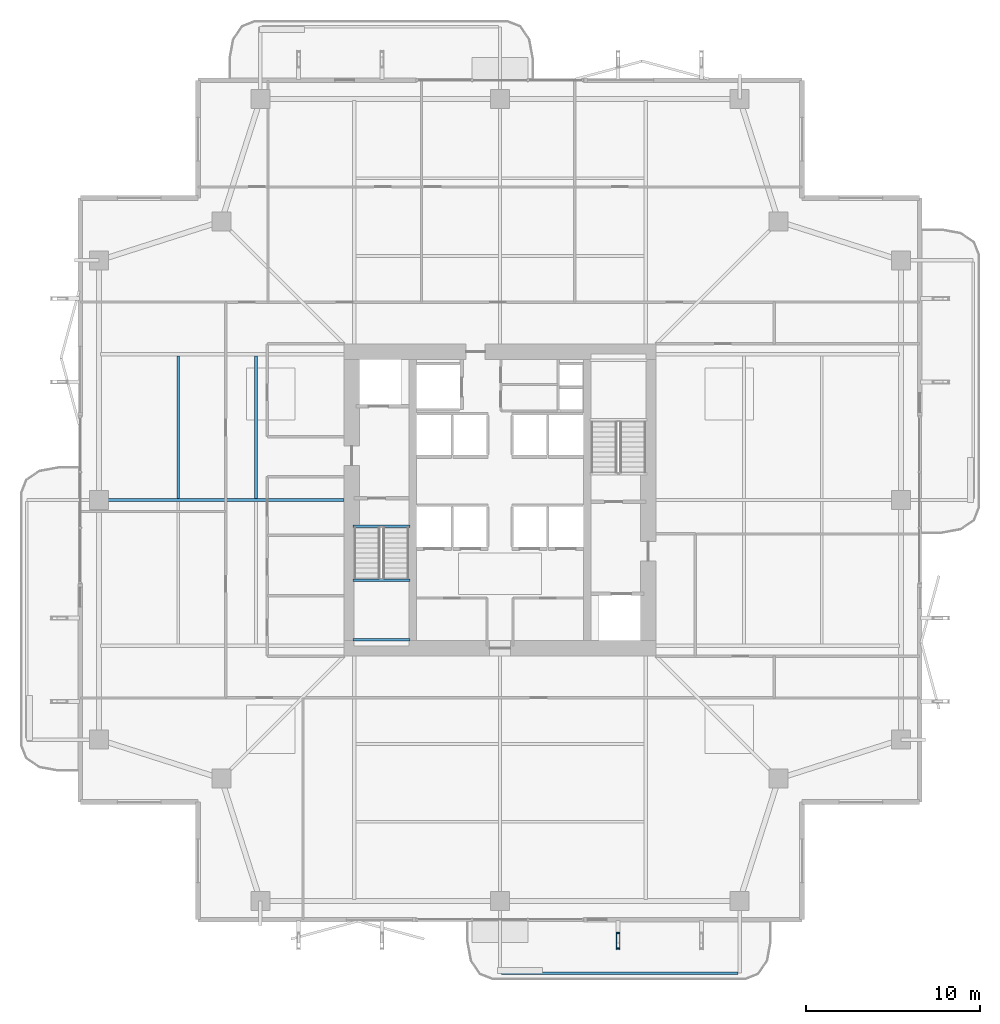
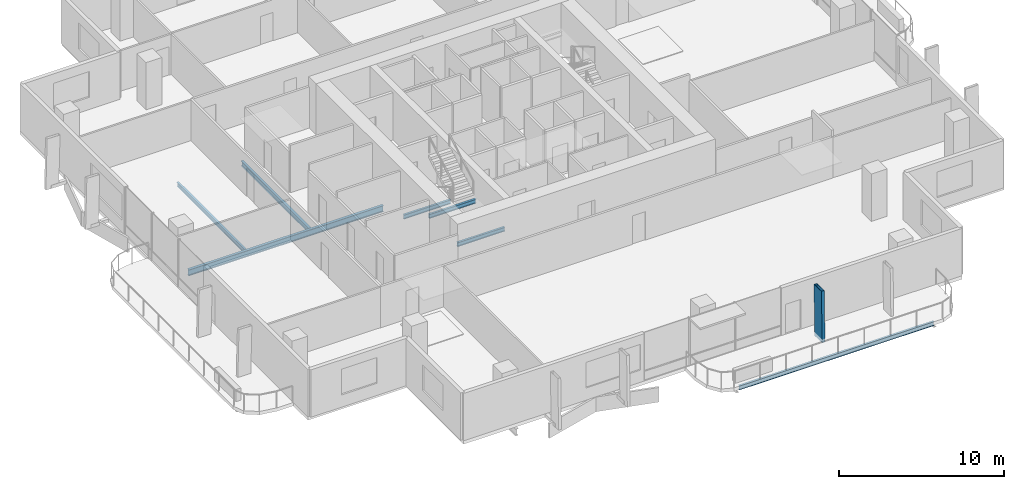
# One storey, part 7 of 25: 7 beams, 1 member.
"""IFC4 building model written with IfcOpenShell, lengths in metres."""

from ifc_helpers import new_model, si_unit, direction, frame, origin, origin_2d, place, context, subcontext, project, spatial, hollow_rectangle, i_section, extrude, material, material_profile, profile_set, type_object, element, save


model = new_model("IFC4")

# Units and contexts
model_context = context("Model", 3, precision=1e-05, world=origin(), true_north=direction((0.0, 1.0)))
body_context = subcontext(model_context, "Body", "Model", "MODEL_VIEW")
ifc_project = project(units=[si_unit("LENGTHUNIT", "METRE"), si_unit("AREAUNIT", "SQUARE_METRE"), si_unit("VOLUMEUNIT", "CUBIC_METRE"), si_unit("PLANEANGLEUNIT", "RADIAN"), si_unit("MASSUNIT", "GRAM", prefix="KILO")], contexts=[model_context])

# Site, building, storey
site_placement = place(None, origin())
site = spatial("IfcSite", under=ifc_project, at=site_placement, CompositionType="ELEMENT")
building_placement = place(site_placement, origin())
building = spatial("IfcBuilding", under=site, at=building_placement, Name="Belovzor Exchange Tower", CompositionType="ELEMENT")
storey_placement = place(building_placement, frame((0.0, 0.0, 164.550048828125)))
storey = spatial("IfcBuildingStorey", under=building, at=storey_placement, Name="L40", CompositionType="ELEMENT", Elevation=164.550048828125)

# Beams
ifc_material_1 = material(Name="Steel S355", Category="steel")
ifc_material_profile_1 = material_profile(ifc_material_1, i_section(OverallWidth=0.14990234375, OverallDepth=0.300048828125, WebThickness=0.007080078125, FlangeThickness=0.0107421875, at=origin_2d()))
ifc_profile_set_1 = profile_set([ifc_material_profile_1], Name="Steel S355")
beam_type_1 = type_object("IfcBeamType", Name="Planted Balcony Fascia Edge Beam IPE 300", PredefinedType="BEAM", material=ifc_profile_set_1)
beam_1_placement = place(storey_placement, frame((28.89990234375, 1.547119140625, -0.405029296875), z_axis=(1.0, 0.0, 0.0), x_axis=(0.0, 1.0, 0.0)))
element("IfcBeam", 1, at=beam_1_placement, inside=storey, type_object=beam_type_1, Name="BC-300 Planted Balcony Fascia Edge Beam IPE 300", PredefinedType="BEAM", context=body_context, shape_type="SweptSolid", body=[
    extrude(i_section(OverallWidth=0.14990234375, OverallDepth=0.300048828125, WebThickness=0.007080078125, FlangeThickness=0.0107421875, at=origin_2d()), origin(), (0.0, 0.0, 1.0), 13.60009765625),
])
ifc_material_2 = material(Name="Steel S355", Category="steel")
ifc_material_profile_2 = material_profile(ifc_material_2, i_section(OverallWidth=0.169921875, OverallDepth=0.360107421875, WebThickness=0.008056640625, FlangeThickness=0.0126953125, at=origin_2d()))
ifc_profile_set_2 = profile_set([ifc_material_profile_2], Name="Steel S355")
beam_type_2 = type_object("IfcBeamType", Name="Secondary Infill Floor Joist IPE 360", PredefinedType="BEAM", material=ifc_profile_set_2)
beam_2_placement = place(storey_placement, frame((14.7509765625, 28.89501953125, -0.43505859375), z_axis=(0.0, 1.0, 0.0), x_axis=(-1.0, 0.0, 0.0)))
element("IfcBeam", 2, at=beam_2_placement, inside=storey, type_object=beam_type_2, Name="FJ-360 Secondary Infill Floor Joist IPE 360", PredefinedType="BEAM", context=body_context, shape_type="SweptSolid", body=[
    extrude(i_section(OverallWidth=0.169921875, OverallDepth=0.360107421875, WebThickness=0.008056640625, FlangeThickness=0.0126953125, at=origin_2d()), origin(), (0.0, 0.0, 1.0), 8.2099609375),
])
ifc_material_3 = material(Name="Steel S355", Category="steel")
ifc_material_profile_3 = material_profile(ifc_material_3, i_section(OverallWidth=0.14990234375, OverallDepth=0.300048828125, WebThickness=0.007080078125, FlangeThickness=0.0107421875, at=origin_2d()))
ifc_profile_set_3 = profile_set([ifc_material_profile_3], Name="Steel S355")
beam_type_3 = type_object("IfcBeamType", Name="Secondary Trim Floor Joist IPE 300", PredefinedType="BEAM", material=ifc_profile_set_3)
for number, where, z_axis, x_axis, name in (
    (3, (20.320068359375, 24.179931640625, 1.52490234375), (1.0, 0.0, 0.0), (0.0, 1.0, 0.0), "FJ-300 Secondary Trim Floor Joist IPE 300"),
    (4, (20.320068359375, 20.75, 1.52490234375), (1.0, 0.0, 0.0), (0.0, 1.0, 0.0), "FJ-300 Secondary Trim Floor Joist IPE 300"),
):
    element("IfcBeam", number, at=place(storey_placement, frame(where, z_axis=z_axis, x_axis=x_axis)), inside=storey, type_object=beam_type_3, Name=name, PredefinedType="BEAM", context=body_context, shape_type="SweptSolid", body=[
        extrude(i_section(OverallWidth=0.14990234375, OverallDepth=0.300048828125, WebThickness=0.007080078125, FlangeThickness=0.0107421875, at=origin_2d()), origin(), (0.0, 0.0, 1.0), 3.309814453125),
    ])
beam_3_placement = place(storey_placement, frame((20.340087890625, 27.280029296875, -0.405029296875), z_axis=(1.0, 0.0, 0.0), x_axis=(0.0, 1.0, 0.0)))
element("IfcBeam", 5, at=beam_3_placement, inside=storey, type_object=beam_type_3, Name="FJ-300 Secondary Trim Floor Joist IPE 300", PredefinedType="BEAM", context=body_context, shape_type="SweptSolid", body=[
    extrude(i_section(OverallWidth=0.14990234375, OverallDepth=0.300048828125, WebThickness=0.007080078125, FlangeThickness=0.0107421875, at=origin_2d()), origin(), (0.0, 0.0, 1.0), 3.27001953125),
])
beam_4_placement = place(storey_placement, frame((10.262939453125, 28.89501953125, -0.405029296875), z_axis=(0.0, 1.0, 0.0), x_axis=(-1.0, 0.0, 0.0)))
element("IfcBeam", 6, at=beam_4_placement, inside=storey, type_object=beam_type_3, Name="FJ-300 Secondary Trim Floor Joist IPE 300", PredefinedType="BEAM", context=body_context, shape_type="SweptSolid", body=[
    extrude(i_section(OverallWidth=0.14990234375, OverallDepth=0.300048828125, WebThickness=0.007080078125, FlangeThickness=0.0107421875, at=origin_2d()), origin(), (0.0, 0.0, 1.0), 8.2099609375),
])

# Member
ifc_material_4 = material(Name="Extruded Architectural Terracotta on Steel S355 Carrier", Category="masonry")
ifc_material_profile_4 = material_profile(ifc_material_4, hollow_rectangle(XDim=0.199951171875, YDim=0.89990234375, WallThickness=0.011962890625, at=origin_2d()))
ifc_profile_set_4 = profile_set([ifc_material_profile_4], Name="Extruded Architectural Terracotta on Steel S355 Carrier")
member_type = type_object("IfcMemberType", Name="Sweeping Terracotta Baguette Fin Assembly 1250", PredefinedType="USERDEFINED", material=ifc_profile_set_4)
member_placement = place(storey_placement, frame((35.60009765625, 3.35302734375, -0.255126953125), z_axis=(0.0, 0.02317086074, 0.999731519565), x_axis=(-1.0, 0.0, 0.0)))
element("IfcMember", 7, at=member_placement, inside=storey, type_object=member_type, Name="FIN-TC125 Terracotta Facade Fin L40 S3", ObjectType="FIN", PredefinedType="USERDEFINED", context=body_context, shape_type="SweptSolid", body=[
    extrude(hollow_rectangle(XDim=0.199951171875, YDim=0.89990234375, WallThickness=0.011962890625, at=origin_2d()), origin(), (0.0, 0.0, 1.0), 3.7509765625),
])

# Beam
ifc_material_5 = material(Name="Steel S355", Category="steel")
ifc_material_profile_5 = material_profile(ifc_material_5, i_section(OverallWidth=0.18994140625, OverallDepth=0.449951171875, WebThickness=0.009521484375, FlangeThickness=0.0146484375, at=origin_2d()))
ifc_profile_set_5 = profile_set([ifc_material_profile_5], Name="Steel S355")
beam_type_4 = type_object("IfcBeamType", Name="Zone 2-4 Radial Composite Floor Beam IPE 450", PredefinedType="BEAM", material=ifc_profile_set_5)
beam_5_placement = place(storey_placement, frame((19.800048828125, 28.800048828125, -0.47998046875), z_axis=(-1.0, 0.0, 0.0), x_axis=(0.0, -1.0, 0.0)))
element("IfcBeam", 8, at=beam_5_placement, inside=storey, type_object=beam_type_4, Name="FB-450 Zone 2-4 Radial Composite Floor Beam IPE 450", PredefinedType="BEAM", context=body_context, shape_type="SweptSolid", body=[
    extrude(i_section(OverallWidth=0.18994140625, OverallDepth=0.449951171875, WebThickness=0.009521484375, FlangeThickness=0.0146484375, at=origin_2d()), origin(), (0.0, 0.0, 1.0), 13.615966796875),
])

save(model, "model.ifc")
